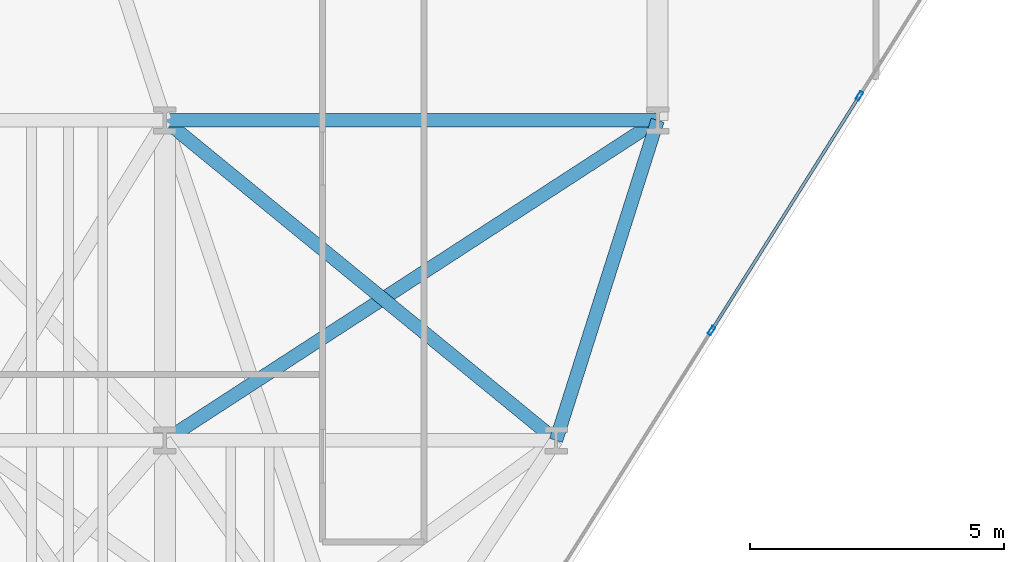
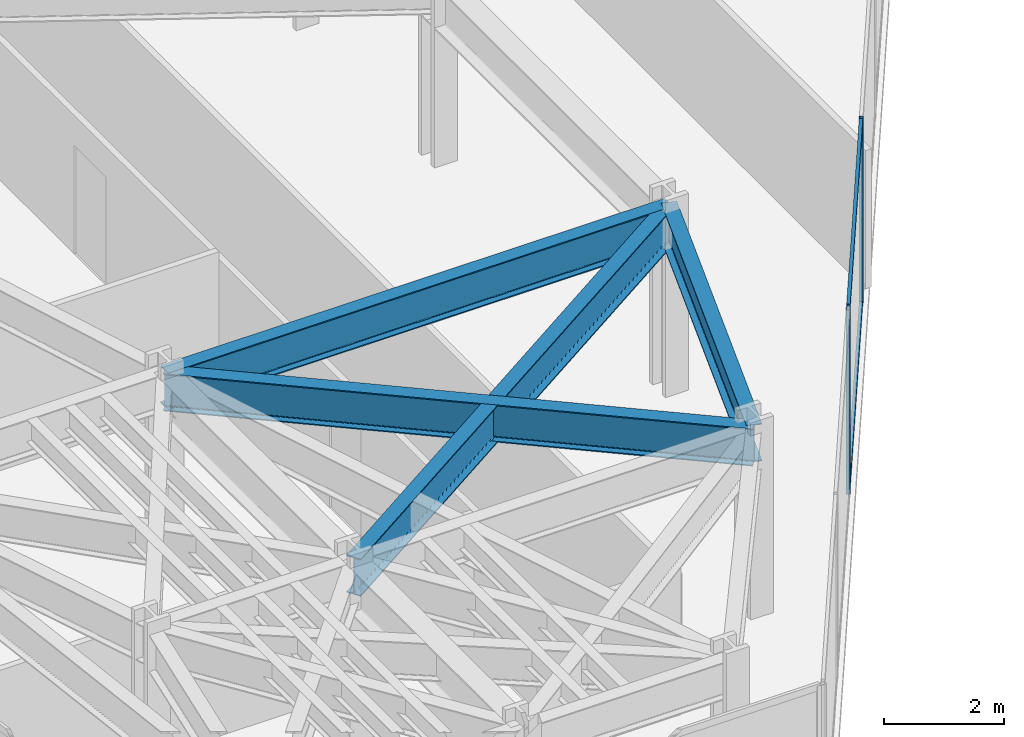
# One storey, part 6 of 25: 4 beams, 4 members, 1 element without a shape of its own.
"""IFC4 building model written with IfcOpenShell, lengths in metres."""

from ifc_helpers import new_model, si_unit, direction, frame, origin, origin_2d, place, context, subcontext, project, spatial, hollow_rectangle, i_section, extrude, material, layer, layer_set, material_profile, profile_set, type_object, element, aggregate, save


model = new_model("IFC4")

# Units and contexts
model_context = context("Model", 3, precision=1e-05, world=origin(), true_north=direction((0.0, 1.0)))
body_context = subcontext(model_context, "Body", "Model", "MODEL_VIEW")
ifc_project = project(units=[si_unit("LENGTHUNIT", "METRE"), si_unit("AREAUNIT", "SQUARE_METRE"), si_unit("VOLUMEUNIT", "CUBIC_METRE"), si_unit("PLANEANGLEUNIT", "RADIAN"), si_unit("MASSUNIT", "GRAM", prefix="KILO")], contexts=[model_context])

# Site, building, storey
site_placement = place(None, origin())
site = spatial("IfcSite", under=ifc_project, at=site_placement, CompositionType="ELEMENT")
building_placement = place(site_placement, origin())
building = spatial("IfcBuilding", under=site, at=building_placement, Name="Kravanh Interchange Tower", CompositionType="ELEMENT")
storey_placement = place(building_placement, frame((0.0, 0.0, 33.5)))
storey = spatial("IfcBuildingStorey", under=building, at=storey_placement, Name="L07", CompositionType="ELEMENT", Elevation=33.5)

# Curtain wall, members
ifc_material_1 = material(Name="Anodised Bronze Aluminium", Category="aluminium")
ifc_layer = layer(ifc_material_1, 0.179931640625)
ifc_layer_set = layer_set([ifc_layer], Name="Unitised Curtain Wall System CW-Z1 Lower Office")
curtain_wall_type = type_object("IfcCurtainWallType", Name="Unitised Curtain Wall System CW-Z1 Lower Office", PredefinedType="NOTDEFINED", material=ifc_layer_set)
curtain_wall_placement = place(storey_placement, origin())
curtain_wall = element("IfcCurtainWall", 1, at=curtain_wall_placement, inside=storey, type_object=curtain_wall_type, Name="L07 Unitised Curtain Wall CW-L07-05", PredefinedType="NOTDEFINED")
ifc_material_2 = material(Name="Anodised Bronze Aluminium", Category="aluminium")
ifc_material_profile_1 = material_profile(ifc_material_2, hollow_rectangle(XDim=0.070068359375, YDim=0.179931640625, WallThickness=0.00390625, at=origin_2d()), Name="ALU70X180X4")
ifc_profile_set_1 = profile_set([ifc_material_profile_1], Name="Anodised Bronze Aluminium")
member_type_1 = type_object("IfcMemberType", Name="Curtain Wall Mullion ALU70X180X4 Bronze", PredefinedType="MULLION", material=ifc_profile_set_1)
member_1_placement = place(storey_placement, frame((31.173583984375, 14.98291015625, 0.0), z_axis=(0.0, 0.0, 1.0), x_axis=(0.845925530786, -0.53330103728, 0.0)))
member_1 = element("IfcMember", 2, at=member_1_placement, type_object=member_type_1, Name="CW-Z1 mullion 3", PredefinedType="MULLION", context=body_context, shape_type="SweptSolid", body=[
    extrude(hollow_rectangle(XDim=0.070068359375, YDim=0.179931640625, WallThickness=0.00390625, at=origin_2d()), origin(), (0.0, 0.0, 1.0), 3.739990234375),
])
member_2_placement = place(storey_placement, frame((28.26025390625, 10.362060546875, 0.0), z_axis=(0.0, 0.0, 1.0), x_axis=(0.845925530786, -0.53330103728, 0.0)))
member_2 = element("IfcMember", 3, at=member_2_placement, type_object=member_type_1, Name="CW-Z1 mullion 4", PredefinedType="MULLION", context=body_context, shape_type="SweptSolid", body=[
    extrude(hollow_rectangle(XDim=0.070068359375, YDim=0.179931640625, WallThickness=0.00390625, at=origin_2d()), origin(), (0.0, 0.0, 1.0), 3.739990234375),
])
ifc_material_3 = material(Name="Anodised Bronze Aluminium", Category="aluminium")
ifc_material_profile_2 = material_profile(ifc_material_3, hollow_rectangle(XDim=0.06005859375, YDim=0.139892578125, WallThickness=0.00390625, at=origin_2d()), Name="ALU60X140X4")
ifc_profile_set_2 = profile_set([ifc_material_profile_2], Name="Anodised Bronze Aluminium")
member_type_2 = type_object("IfcMemberType", Name="Curtain Wall Transom ALU60X140X4 Bronze", PredefinedType="USERDEFINED", material=ifc_profile_set_2)
member_3_placement = place(storey_placement, frame((31.15478515625, 14.953369140625, 0.030029296875), z_axis=(-0.533279090152, -0.845939366626, 0.0), x_axis=(0.845939366626, -0.533279090152, 0.0)))
member_3 = element("IfcMember", 4, at=member_3_placement, type_object=member_type_2, Name="CW-Z1 transom 3.1", ObjectType="TRANSOM", PredefinedType="USERDEFINED", context=body_context, shape_type="SweptSolid", body=[
    extrude(hollow_rectangle(XDim=0.06005859375, YDim=0.139892578125, WallThickness=0.00390625, at=origin_2d()), origin(), (0.0, 0.0, 1.0), 5.392578125),
])
member_4_placement = place(storey_placement, frame((31.15478515625, 14.953369140625, 3.7099609375), z_axis=(-0.533279090152, -0.845939366626, 0.0), x_axis=(0.845939366626, -0.533279090152, 0.0)))
member_4 = element("IfcMember", 5, at=member_4_placement, type_object=member_type_2, Name="CW-Z1 transom 3.2", ObjectType="TRANSOM", PredefinedType="USERDEFINED", context=body_context, shape_type="SweptSolid", body=[
    extrude(hollow_rectangle(XDim=0.06005859375, YDim=0.139892578125, WallThickness=0.00390625, at=origin_2d()), origin(), (0.0, 0.0, 1.0), 5.392578125),
])
aggregate(curtain_wall, [member_1, member_2, member_3, member_4])

# Beams
ifc_material_4 = material(Name="Structural Steel S355", Category="steel")
ifc_material_profile_3 = material_profile(ifc_material_4, i_section(OverallWidth=0.26708984375, OverallDepth=0.761962890625, WebThickness=0.014404296875, FlangeThickness=0.021484375, FilletRadius=0.02490234375, at=origin_2d()), Name="W30X116")
ifc_profile_set_3 = profile_set([ifc_material_profile_3], Name="Structural Steel S355")
beam_type = type_object("IfcBeamType", Name="Floor Spandrel W30X116 Structural Steel S355", PredefinedType="SPANDREL", material=ifc_profile_set_3)
beam_1_placement = place(storey_placement, frame((17.5, 8.199951171875, 3.35888671875), z_axis=(0.838637911458, 0.544689318295, 0.0), x_axis=(-0.544689318295, 0.838637911458, 0.0)))
element("IfcBeam", 6, at=beam_1_placement, inside=storey, type_object=beam_type, Name="L07 Perimeter Spandrel 139", PredefinedType="SPANDREL", context=body_context, shape_type="SweptSolid", body=[
    extrude(i_section(OverallWidth=0.26708984375, OverallDepth=0.761962890625, WebThickness=0.014404296875, FlangeThickness=0.021484375, FilletRadius=0.02490234375, at=origin_2d()), origin(), (0.0, 0.0, 1.0), 11.56640625),
])
beam_2_placement = place(storey_placement, frame((25.199951171875, 8.199951171875, 3.35888671875), z_axis=(0.30257700201, 0.953124943465, 0.0), x_axis=(-0.953124943465, 0.30257700201, 0.0)))
element("IfcBeam", 7, at=beam_2_placement, inside=storey, type_object=beam_type, Name="L07 Perimeter Spandrel 140", PredefinedType="SPANDREL", context=body_context, shape_type="SweptSolid", body=[
    extrude(i_section(OverallWidth=0.26708984375, OverallDepth=0.761962890625, WebThickness=0.014404296875, FlangeThickness=0.021484375, FilletRadius=0.02490234375, at=origin_2d()), origin(), (0.0, 0.0, 1.0), 6.60986328125),
])
beam_3_placement = place(storey_placement, frame((25.199951171875, 8.199951171875, 3.35888671875), z_axis=(-0.773952925799, 0.633243135491, 0.0), x_axis=(-0.633243135491, -0.773952925799, 0.0)))
element("IfcBeam", 8, at=beam_3_placement, inside=storey, type_object=beam_type, Name="L07 Perimeter Spandrel 141", PredefinedType="SPANDREL", context=body_context, shape_type="SweptSolid", body=[
    extrude(i_section(OverallWidth=0.26708984375, OverallDepth=0.761962890625, WebThickness=0.014404296875, FlangeThickness=0.021484375, FilletRadius=0.02490234375, at=origin_2d()), origin(), (0.0, 0.0, 1.0), 9.948974609375),
])
beam_4_placement = place(storey_placement, frame((17.5, 14.5, 3.35888671875), z_axis=(1.0, 0.0, 0.0), x_axis=(0.0, 1.0, 0.0)))
element("IfcBeam", 9, at=beam_4_placement, inside=storey, type_object=beam_type, Name="L07 Perimeter Spandrel 144", PredefinedType="SPANDREL", context=body_context, shape_type="SweptSolid", body=[
    extrude(i_section(OverallWidth=0.26708984375, OverallDepth=0.761962890625, WebThickness=0.014404296875, FlangeThickness=0.021484375, FilletRadius=0.02490234375, at=origin_2d()), origin(), (0.0, 0.0, 1.0), 9.699951171875),
])

save(model, "model.ifc")
